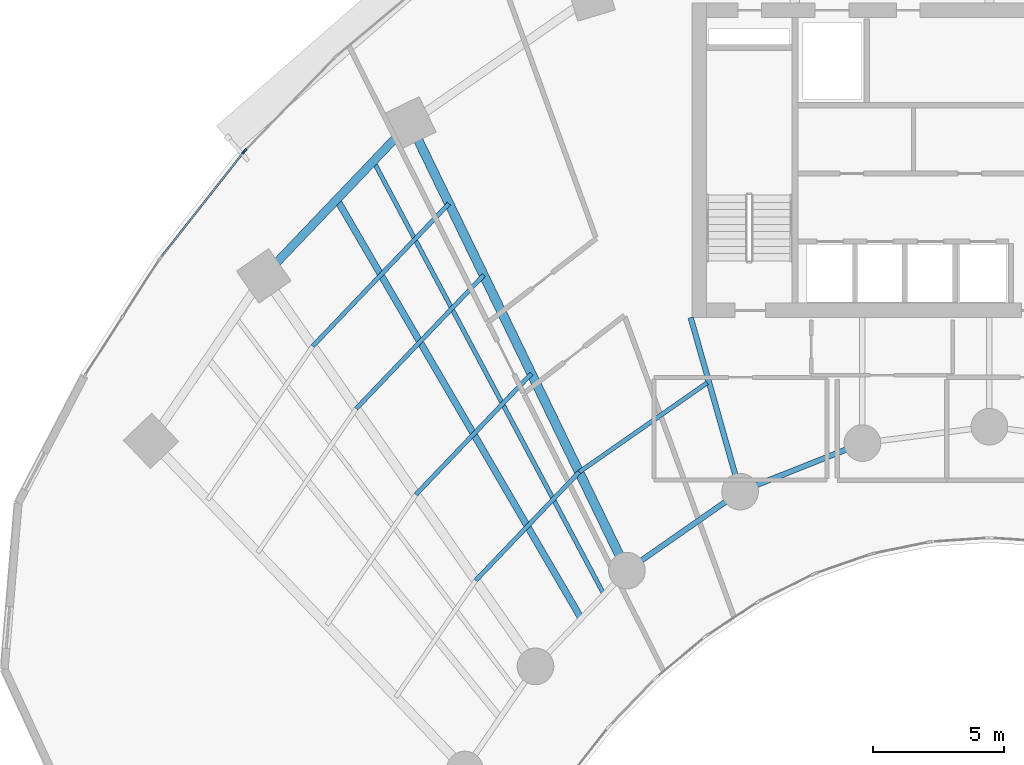
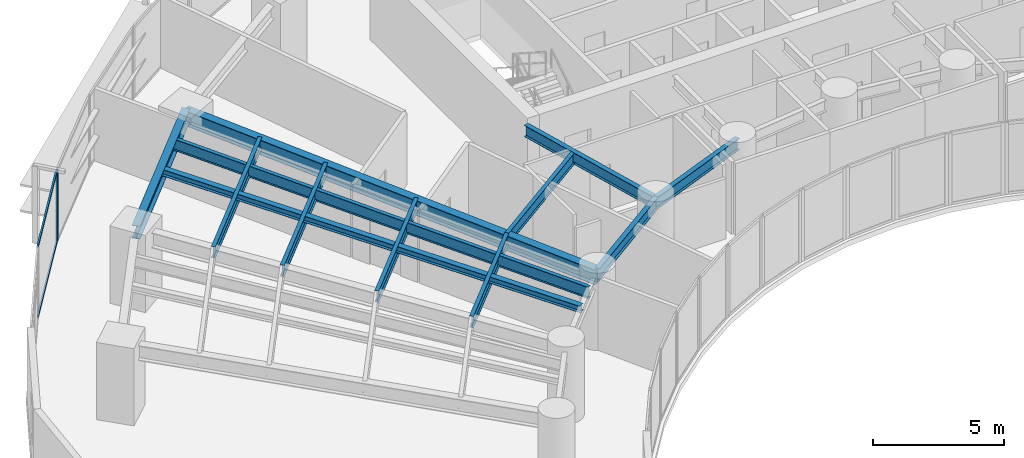
# One storey, part 3 of 17: 12 beams, 4 members, 2 elements without a shape of their own.
"""IFC4 building model written with IfcOpenShell, lengths in metres."""

from ifc_helpers import new_model, si_unit, direction, frame, origin, origin_2d, place, context, subcontext, project, spatial, rectangle, i_section, extrude, source, transform, mapped, material, layer, layer_set, material_profile, profile_set, type_object, type_shapes, element, aggregate, save


model = new_model("IFC4")

# Units and contexts
model_context = context("Model", 3, precision=1e-05, world=origin(), true_north=direction((0.0, 1.0)))
body_context = subcontext(model_context, "Body", "Model", "MODEL_VIEW")
ifc_project = project(units=[si_unit("LENGTHUNIT", "METRE"), si_unit("AREAUNIT", "SQUARE_METRE"), si_unit("VOLUMEUNIT", "CUBIC_METRE"), si_unit("PLANEANGLEUNIT", "RADIAN"), si_unit("MASSUNIT", "GRAM", prefix="KILO")], contexts=[model_context])

# Site, building, storey
site_placement = place(None, origin())
site = spatial("IfcSite", under=ifc_project, at=site_placement, CompositionType="ELEMENT")
building_placement = place(site_placement, origin())
building = spatial("IfcBuilding", under=site, at=building_placement, Name="Breltana Convention Tower", CompositionType="ELEMENT")
storey_placement = place(building_placement, frame((0.0, 0.0, 57.0)))
storey = spatial("IfcBuildingStorey", under=building, at=storey_placement, Name="L12", CompositionType="ELEMENT", Elevation=57.0)

# Beams
ifc_material_1 = material(Name="Steel ASTM A992 Grade 50", Category="steel")
ifc_material_profile_1 = material_profile(ifc_material_1, i_section(OverallWidth=0.323974609375, OverallDepth=0.611083984375, WebThickness=0.0126953125, FlangeThickness=0.01904296875, at=origin_2d()), Name="W24X104")
ifc_profile_set_1 = profile_set([ifc_material_profile_1], Name="Steel ASTM A992 Grade 50")
beam_type_1 = type_object("IfcBeamType", Name="BM-SP-W24X104", PredefinedType="SPANDREL", material=ifc_profile_set_1)
shared_shape_1 = source(origin(), body_context, "Body", "SweptSolid", [
    extrude(i_section(OverallWidth=0.323974609375, OverallDepth=0.611083984375, WebThickness=0.0126953125, FlangeThickness=0.01904296875, at=origin_2d()), origin(), (0.0, 0.0, 1.0), 8.073974609375),
])
beam_1_placement = place(storey_placement, frame((20.310791015625, 61.78857421875, 3.054443359375), z_axis=(0.69072885448, 0.723113856588, 0.0), x_axis=(-0.723113856588, 0.69072885448, 0.0)))
element("IfcBeam", 1, at=beam_1_placement, inside=storey, type_object=beam_type_1, Name="L12 Outer Spandrel Beam 02", PredefinedType="SPANDREL", context=body_context, shape_type="MappedRepresentation", body=[
    mapped(shared_shape_1, transform((0.0, 0.0, 0.0), scale=1.0)),
])
ifc_material_profile_2 = material_profile(ifc_material_1, i_section(OverallWidth=0.35498046875, OverallDepth=0.696044921875, WebThickness=0.015380859375, FlangeThickness=0.02490234375, at=origin_2d()), Name="W27X146")
ifc_profile_set_2 = profile_set([ifc_material_profile_2], Name="Steel ASTM A992 Grade 50")
beam_type_2 = type_object("IfcBeamType", Name="BM-RG-W27X146", PredefinedType="USERDEFINED", material=ifc_profile_set_2)
shared_shape_2 = source(origin(), body_context, "Body", "SweptSolid", [
    extrude(i_section(OverallWidth=0.35498046875, OverallDepth=0.696044921875, WebThickness=0.015380859375, FlangeThickness=0.02490234375, at=origin_2d()), origin(), (0.0, 0.0, 1.0), 18.982421875),
])
beam_2_placement = place(storey_placement, frame((34.166259765625, 50.544921875, 3.011962890625), z_axis=(-0.436118560343, 0.89988921614, 0.0), x_axis=(-0.89988921614, -0.436118560343, 0.0)))
element("IfcBeam", 2, at=beam_2_placement, inside=storey, type_object=beam_type_2, Name="L12 Radial Floor Girder R03", ObjectType="GIRDER", PredefinedType="USERDEFINED", context=body_context, shape_type="MappedRepresentation", body=[
    mapped(shared_shape_2, transform((0.0, 0.0, 0.0), scale=1.0)),
])
ifc_material_profile_3 = material_profile(ifc_material_1, i_section(OverallWidth=0.2099609375, OverallDepth=0.537109375, WebThickness=0.010986328125, FlangeThickness=0.017333984375, at=origin_2d()), Name="W21X68")
ifc_profile_set_3 = profile_set([ifc_material_profile_3], Name="Steel ASTM A992 Grade 50")
beam_type_3 = type_object("IfcBeamType", Name="BM-BM-W21X68", PredefinedType="BEAM", material=ifc_profile_set_3)
shared_shape_3 = source(origin(), body_context, "Body", "SweptSolid", [
    extrude(i_section(OverallWidth=0.2099609375, OverallDepth=0.537109375, WebThickness=0.010986328125, FlangeThickness=0.017333984375, at=origin_2d()), origin(), (0.0, 0.0, 1.0), 6.904541015625),
])
type_shapes(beam_type_3, [shared_shape_3])
beam_3_placement = place(storey_placement, frame((36.60009765625, 60.199951171875, 3.091552734375), z_axis=(0.273006781054, -0.962012108811, 0.0), x_axis=(0.962012108811, 0.273006781054, 0.0)))
element("IfcBeam", 3, at=beam_3_placement, inside=storey, type_object=beam_type_3, Name="L12 South Core Tie Girder R04", PredefinedType="BEAM", context=body_context, shape_type="MappedRepresentation", body=[
    mapped(shared_shape_3, transform((0.0, 0.0, 0.0), scale=1.0)),
])
shared_shape_4 = source(origin(), body_context, "Body", "SweptSolid", [
    extrude(i_section(OverallWidth=0.2099609375, OverallDepth=0.537109375, WebThickness=0.010986328125, FlangeThickness=0.017333984375, at=origin_2d()), origin(), (0.0, 0.0, 1.0), 5.265869140625),
])
beam_4_placement = place(storey_placement, frame((34.166259765625, 50.544921875, 3.091552734375), z_axis=(0.820167429517, 0.572123577176, 0.0), x_axis=(-0.572123577176, 0.820167429517, 0.0)))
element("IfcBeam", 4, at=beam_4_placement, inside=storey, type_object=beam_type_3, Name="L12 Inner Ring Beam 03", PredefinedType="BEAM", context=body_context, shape_type="MappedRepresentation", body=[
    mapped(shared_shape_4, transform((0.0, 0.0, 0.0), scale=1.0)),
])
shared_shape_5 = source(origin(), body_context, "Body", "SweptSolid", [
    extrude(i_section(OverallWidth=0.2099609375, OverallDepth=0.537109375, WebThickness=0.010986328125, FlangeThickness=0.017333984375, at=origin_2d()), origin(), (0.0, 0.0, 1.0), 5.022705078125),
])
beam_5_placement = place(storey_placement, frame((38.485107421875, 53.5576171875, 3.091552734375), z_axis=(0.929458966248, 0.368925507469, 0.0), x_axis=(-0.368925507469, 0.929458966248, 0.0)))
element("IfcBeam", 5, at=beam_5_placement, inside=storey, type_object=beam_type_3, Name="L12 Inner Ring Beam 04", PredefinedType="BEAM", context=body_context, shape_type="MappedRepresentation", body=[
    mapped(shared_shape_5, transform((0.0, 0.0, 0.0), scale=1.0)),
])
ifc_material_profile_4 = material_profile(ifc_material_1, i_section(OverallWidth=0.166015625, OverallDepth=0.534912109375, WebThickness=0.01025390625, FlangeThickness=0.0166015625, at=origin_2d()), Name="W21X57")
ifc_profile_set_4 = profile_set([ifc_material_profile_4], Name="Steel ASTM A992 Grade 50")
beam_type_4 = type_object("IfcBeamType", Name="BM-JSG-05", PredefinedType="JOIST", material=ifc_profile_set_4)
shared_shape_6 = source(origin(), body_context, "Body", "SweptSolid", [
    extrude(i_section(OverallWidth=0.166015625, OverallDepth=0.534912109375, WebThickness=0.01025390625, FlangeThickness=0.0166015625, at=origin_2d()), origin(), (0.0, 0.0, 1.0), 5.716064453125),
])
beam_6_placement = place(storey_placement, frame((28.396484375, 50.169677734375, 3.092529296875), z_axis=(0.690756060045, 0.723087868458, 0.0), x_axis=(-0.723087868458, 0.690756060045, 0.0)))
element("IfcBeam", 6, at=beam_6_placement, inside=storey, type_object=beam_type_4, Name="L12 Composite Floor Joist 02.1", PredefinedType="JOIST", context=body_context, shape_type="MappedRepresentation", body=[
    mapped(shared_shape_6, transform((0.0, 0.0, 0.0), scale=1.0)),
])
shared_shape_7 = source(origin(), body_context, "Body", "SweptSolid", [
    extrude(i_section(OverallWidth=0.166015625, OverallDepth=0.534912109375, WebThickness=0.01025390625, FlangeThickness=0.0166015625, at=origin_2d()), origin(), (0.0, 0.0, 1.0), 6.381103515625),
])
beam_7_placement = place(storey_placement, frame((26.115966796875, 53.44677734375, 3.092529296875), z_axis=(0.690737768889, 0.723105341309, 0.0), x_axis=(-0.723105341309, 0.690737768889, 0.0)))
element("IfcBeam", 7, at=beam_7_placement, inside=storey, type_object=beam_type_4, Name="L12 Composite Floor Joist 02.2", PredefinedType="JOIST", context=body_context, shape_type="MappedRepresentation", body=[
    mapped(shared_shape_7, transform((0.0, 0.0, 0.0), scale=1.0)),
])
shared_shape_8 = source(origin(), body_context, "Body", "SweptSolid", [
    extrude(i_section(OverallWidth=0.166015625, OverallDepth=0.534912109375, WebThickness=0.01025390625, FlangeThickness=0.0166015625, at=origin_2d()), origin(), (0.0, 0.0, 1.0), 7.046142578125),
])
beam_8_placement = place(storey_placement, frame((23.83544921875, 56.723876953125, 3.092529296875), z_axis=(0.690722929904, 0.723119515782, 0.0), x_axis=(-0.723119515782, 0.690722929904, 0.0)))
element("IfcBeam", 8, at=beam_8_placement, inside=storey, type_object=beam_type_4, Name="L12 Composite Floor Joist 02.3", PredefinedType="JOIST", context=body_context, shape_type="MappedRepresentation", body=[
    mapped(shared_shape_8, transform((0.0, 0.0, 0.0), scale=1.0)),
])
shared_shape_9 = source(origin(), body_context, "Body", "SweptSolid", [
    extrude(i_section(OverallWidth=0.166015625, OverallDepth=0.534912109375, WebThickness=0.01025390625, FlangeThickness=0.0166015625, at=origin_2d()), origin(), (0.0, 0.0, 1.0), 7.529541015625),
])
beam_9_placement = place(storey_placement, frame((22.1767578125, 59.107421875, 3.092529296875), z_axis=(0.690725562031, 0.723117001568, 0.0), x_axis=(-0.723117001568, 0.690725562031, 0.0)))
element("IfcBeam", 9, at=beam_9_placement, inside=storey, type_object=beam_type_4, Name="L12 Composite Floor Joist 02.4", PredefinedType="JOIST", context=body_context, shape_type="MappedRepresentation", body=[
    mapped(shared_shape_9, transform((0.0, 0.0, 0.0), scale=1.0)),
])
ifc_material_profile_5 = material_profile(ifc_material_1, i_section(OverallWidth=0.25390625, OverallDepth=0.305908203125, WebThickness=0.0087890625, FlangeThickness=0.0146484375, at=origin_2d()), Name="W12X53")
ifc_profile_set_5 = profile_set([ifc_material_profile_5], Name="Steel ASTM A992 Grade 50")
beam_type_5 = type_object("IfcBeamType", Name="BM-JSG-10", PredefinedType="JOIST", material=ifc_profile_set_5)
shared_shape_10 = source(origin(), body_context, "Body", "SweptSolid", [
    extrude(i_section(OverallWidth=0.25390625, OverallDepth=0.305908203125, WebThickness=0.0087890625, FlangeThickness=0.0146484375, at=origin_2d()), origin(), (0.0, 0.0, 1.0), 18.50830078125),
])
beam_10_placement = place(storey_placement, frame((32.421630859375, 48.71875, 3.20703125), z_axis=(-0.50368319637, 0.863888440537, 0.0), x_axis=(-0.863888440537, -0.50368319637, 0.0)))
element("IfcBeam", 10, at=beam_10_placement, inside=storey, type_object=beam_type_5, Name="L12 Mid-Bay Radial Trimmer 02", PredefinedType="JOIST", context=body_context, shape_type="MappedRepresentation", body=[
    mapped(shared_shape_10, transform((0.0, 0.0, 0.0), scale=1.0)),
])
shared_shape_11 = source(origin(), body_context, "Body", "SweptSolid", [
    extrude(i_section(OverallWidth=0.166015625, OverallDepth=0.534912109375, WebThickness=0.01025390625, FlangeThickness=0.0166015625, at=origin_2d()), origin(), (0.0, 0.0, 1.0), 18.731689453125),
])
beam_11_placement = place(storey_placement, frame((33.2939453125, 49.6318359375, 3.092529296875), z_axis=(-0.469820250451, 0.882762104004, 0.0), x_axis=(-0.882762104004, -0.469820250451, 0.0)))
element("IfcBeam", 11, at=beam_11_placement, inside=storey, type_object=beam_type_4, Name="L12 Quarter-Bay Radial Trimmer 02", PredefinedType="JOIST", context=body_context, shape_type="MappedRepresentation", body=[
    mapped(shared_shape_11, transform((0.0, 0.0, 0.0), scale=1.0)),
])
shared_shape_12 = source(origin(), body_context, "Body", "SweptSolid", [
    extrude(i_section(OverallWidth=0.166015625, OverallDepth=0.534912109375, WebThickness=0.01025390625, FlangeThickness=0.0166015625, at=origin_2d()), origin(), (0.0, 0.0, 1.0), 5.959228515625),
])
beam_12_placement = place(storey_placement, frame((32.344970703125, 54.302978515625, 3.092529296875), z_axis=(0.820160485262, 0.572133531979, 0.0), x_axis=(-0.572133531979, 0.820160485262, 0.0)))
element("IfcBeam", 12, at=beam_12_placement, inside=storey, type_object=beam_type_4, Name="L12 Composite Floor Joist 03.1", PredefinedType="JOIST", context=body_context, shape_type="MappedRepresentation", body=[
    mapped(shared_shape_12, transform((0.0, 0.0, 0.0), scale=1.0)),
])

# Curtain wall, member
ifc_material_2 = material(Name="Aluminium Anodised Bronze Frame", Category="aluminium")
ifc_layer = layer(ifc_material_2, 0.199951171875, Name="Aluminium Anodised Bronze Frame")
ifc_layer_set = layer_set([ifc_layer], Name="Aluminium Anodised Bronze Frame")
curtain_wall_type = type_object("IfcCurtainWallType", Name="CW-SYS-2", PredefinedType="NOTDEFINED", material=ifc_layer_set)
curtain_wall_1_placement = place(storey_placement, origin())
curtain_wall_1 = element("IfcCurtainWall", 13, at=curtain_wall_1_placement, inside=storey, type_object=curtain_wall_type, Name="L12 outer double-skin inner glazing 2", PredefinedType="NOTDEFINED")
ifc_material_3 = material(Name="Aluminium Anodised Bronze", Category="aluminium")
ifc_material_profile_6 = material_profile(ifc_material_3, rectangle(XDim=0.070068359375, YDim=0.175048828125, at=origin_2d()), Name="CWM-70X175")
ifc_profile_set_6 = profile_set([ifc_material_profile_6], Name="Aluminium Anodised Bronze")
member_type_1 = type_object("IfcMemberType", Name="CWM-175", PredefinedType="MULLION", material=ifc_profile_set_6)
shared_shape_13 = source(origin(), body_context, "Body", "SweptSolid", [
    extrude(rectangle(XDim=0.070068359375, YDim=0.175048828125, at=origin_2d()), origin(), (0.0, 0.0, 1.0), 3.360107421875),
])
type_shapes(member_type_1, [shared_shape_13])
member_1_placement = place(storey_placement, frame((19.545166015625, 66.518798828125, 0.0), z_axis=(0.0, 0.0, 1.0), x_axis=(-0.786057080698, 0.618153917633, 0.0)))
member_1 = element("IfcMember", 14, at=member_1_placement, type_object=member_type_1, Name="CW-02 mullion 2", PredefinedType="MULLION", context=body_context, shape_type="MappedRepresentation", body=[
    mapped(shared_shape_13, transform((0.0, 0.0, 0.0), scale=1.0)),
])

curtain_wall_2_placement = place(storey_placement, origin())
curtain_wall_2 = element("IfcCurtainWall", 15, at=curtain_wall_2_placement, inside=storey, type_object=curtain_wall_type, Name="L12 outer double-skin inner glazing 3", PredefinedType="NOTDEFINED")
member_2_placement = place(storey_placement, frame((19.591064453125, 66.571533203125, 0.0), z_axis=(0.0, 0.0, 1.0), x_axis=(-0.719386421003, 0.694610090106, 0.0)))
member_2 = element("IfcMember", 16, at=member_2_placement, type_object=member_type_1, Name="CW-02 mullion 1", PredefinedType="MULLION", context=body_context, shape_type="MappedRepresentation", body=[
    mapped(shared_shape_13, transform((0.0, 0.0, 0.0), scale=1.0)),
])
aggregate(curtain_wall_2, [member_2])

# Member
ifc_material_profile_7 = material_profile(ifc_material_3, rectangle(XDim=0.070068359375, YDim=0.1201171875, at=origin_2d()), Name="CWT-70X120")
ifc_profile_set_7 = profile_set([ifc_material_profile_7], Name="Aluminium Anodised Bronze")
member_type_2 = type_object("IfcMemberType", Name="CWT-120", PredefinedType="USERDEFINED", material=ifc_profile_set_7)
shared_shape_14 = source(origin(), body_context, "Body", "SweptSolid", [
    extrude(rectangle(XDim=0.070068359375, YDim=0.1201171875, at=origin_2d()), origin(), (0.0, 0.0, 1.0), 5.0546875),
])
member_3_placement = place(storey_placement, frame((16.39892578125, 62.51806640625, 0.034912109375), z_axis=(0.618135067667, 0.786071903913, 0.0), x_axis=(-0.786071903913, 0.618135067667, 0.0)))
member_3 = element("IfcMember", 17, at=member_3_placement, type_object=member_type_2, Name="CW-02 transom 1.1", ObjectType="TRANSOM", PredefinedType="USERDEFINED", context=body_context, shape_type="MappedRepresentation", body=[
    mapped(shared_shape_14, transform((0.0, 0.0, 0.0), scale=1.0)),
])

member_4_placement = place(storey_placement, frame((16.39892578125, 62.51806640625, 3.324951171875), z_axis=(0.618135067667, 0.786071903913, 0.0), x_axis=(-0.786071903913, 0.618135067667, 0.0)))
member_4 = element("IfcMember", 18, at=member_4_placement, type_object=member_type_2, Name="CW-02 transom 1.2", ObjectType="TRANSOM", PredefinedType="USERDEFINED", context=body_context, shape_type="MappedRepresentation", body=[
    mapped(shared_shape_14, transform((0.0, 0.0, 0.0), scale=1.0)),
])

aggregate(curtain_wall_1, [member_1, member_3, member_4])

save(model, "model.ifc")
